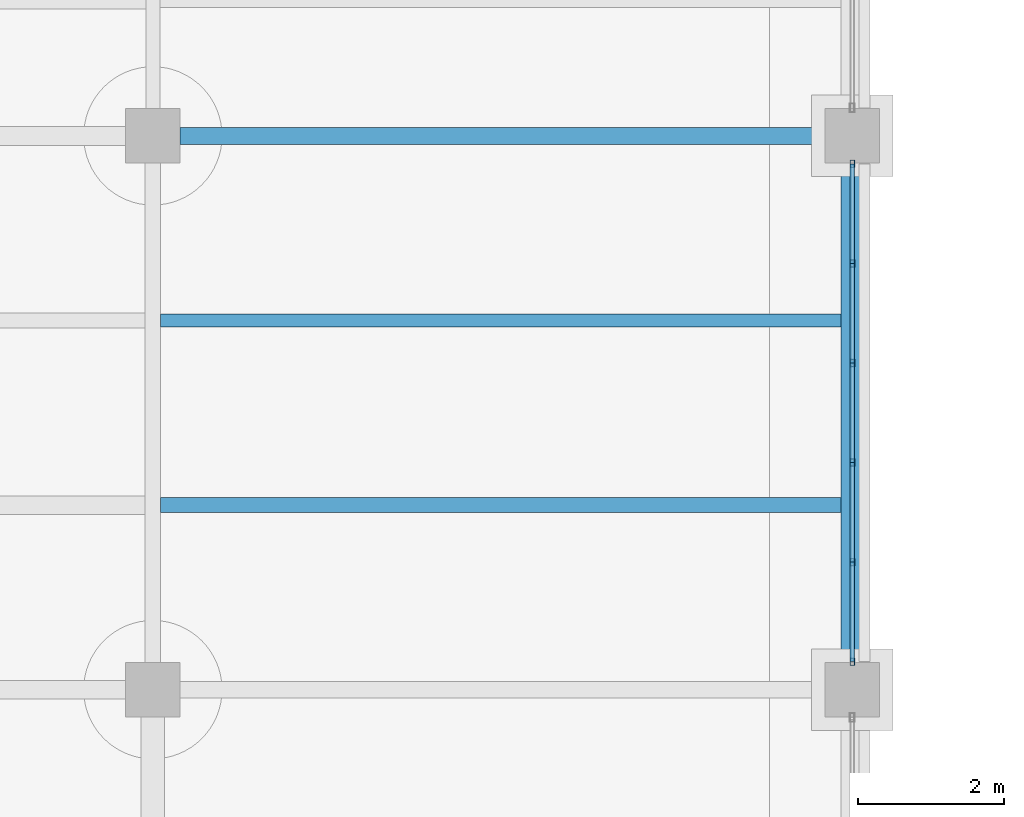
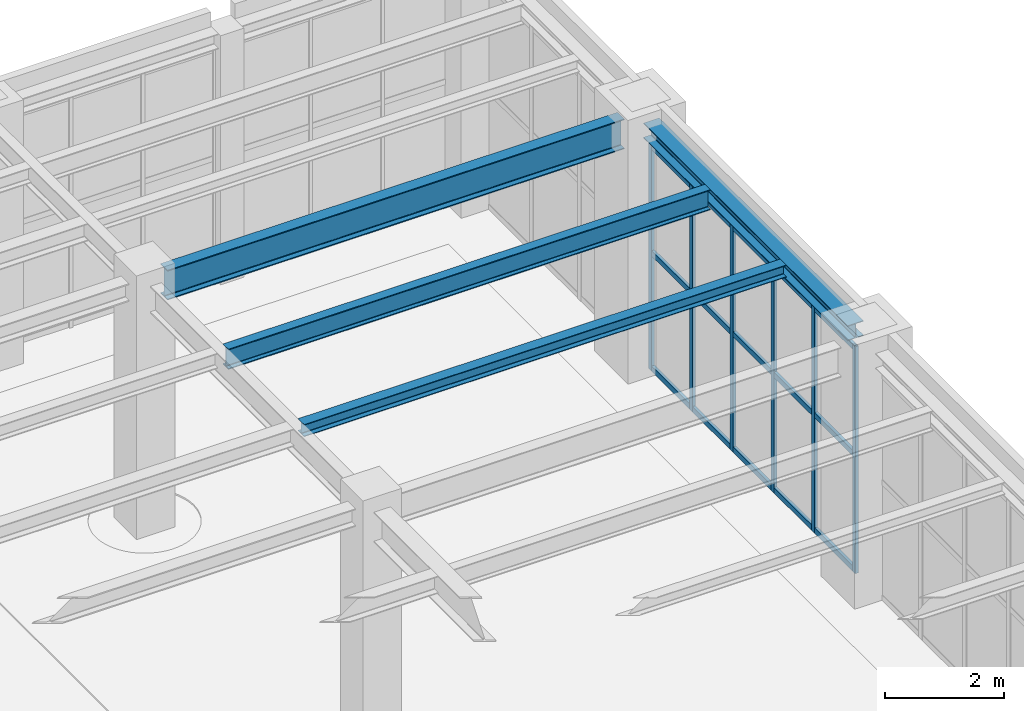
# One storey, part 81 of 164: 21 members, 4 beams, 1 element without a shape of its own.
"""IFC4 building model written with IfcOpenShell, lengths in metres."""

import ifcopenshell
import ifcopenshell.guid

model = None  # the IFC model being written
_history = None  # IfcOwnerHistory: only IFC2X3 demands one
_inside = {}  # id of a spatial element -> (the spatial element, [elements in it])
_under = {}  # id of a project, library or spatial element -> (it, [spatial elements below it])
_declared = {}  # id of a project -> (the project, [libraries it declares])
_typed = {}  # id of a type object -> (the type object, [elements of that type])
_made_of = {}  # id of a material, layer set ... -> (it, [elements and type objects made of it])


def new_model(schema):
    """Start an empty IFC model of exactly this schema.

    Asked for "IFC4X3", IfcOpenShell would pick the latest addendum, in which some entities
    have other attributes; the version numbers below select the first issue.
    IFC2X3 requires an IfcOwnerHistory on every rooted entity: one is made here for all.
    """
    global model, _history
    if schema == "IFC4X3":
        model = ifcopenshell.file(schema_version=(4, 3, 0, 0))
    else:
        model = ifcopenshell.file(schema=schema)
    _inside.clear()
    _under.clear()
    _declared.clear()
    _typed.clear()
    _made_of.clear()
    _history = None
    if model.schema == "IFC2X3":
        org = make("IfcOrganization", Name="unknown")
        user = make(
            "IfcPersonAndOrganization",
            ThePerson=make("IfcPerson", FamilyName="unknown"),
            TheOrganization=org,
        )
        app = make(
            "IfcApplication",
            ApplicationDeveloper=org,
            Version="unknown",
            ApplicationFullName="unknown",
            ApplicationIdentifier="unknown",
        )
        _history = make(
            "IfcOwnerHistory",
            OwningUser=user,
            OwningApplication=app,
            ChangeAction="ADDED",
            CreationDate=0,
        )
    return model


def make(cls, **values):
    """One entity of the class cls with the attributes given. An attribute that is None is left unset."""
    return model.create_entity(
        cls, **{name: value for name, value in values.items() if value is not None}
    )


def rooted(cls, **values):
    """An entity with a GlobalId (a new one), such as an element, a storey or a relation."""
    return make(cls, GlobalId=ifcopenshell.guid.new(), OwnerHistory=_history, **values)


def si_unit(unit_type, name, prefix=None):
    """IfcSIUnit, for example si_unit("LENGTHUNIT", "METRE", prefix="MILLI")."""
    return make("IfcSIUnit", UnitType=unit_type, Prefix=prefix, Name=name)


def assignment(units):
    """IfcUnitAssignment: the units of a project."""
    return None if units is None else make("IfcUnitAssignment", Units=units)


def point(xyz):
    """IfcCartesianPoint."""
    return None if xyz is None else make("IfcCartesianPoint", Coordinates=xyz)


def direction(xyz):
    """IfcDirection."""
    return None if xyz is None else make("IfcDirection", DirectionRatios=xyz)


def frame(location, z_axis=None, x_axis=None):
    """IfcAxis2Placement3D, a coordinate frame: its origin and axes. An axis left out is left unset."""
    return make(
        "IfcAxis2Placement3D",
        Location=point(location),
        Axis=direction(z_axis),
        RefDirection=direction(x_axis),
    )


def frame_2d(location, x_axis=None):
    """IfcAxis2Placement2D, a coordinate frame in the plane: its origin and x axis."""
    return make(
        "IfcAxis2Placement2D", Location=point(location), RefDirection=direction(x_axis)
    )


def origin():
    """The frame at (0, 0, 0) with its axes left unset."""
    return frame((0.0, 0.0, 0.0))


def origin_2d():
    """The frame at (0, 0) in the plane with its x axis left unset."""
    return frame_2d((0.0, 0.0))


def place(relative_to, where):
    """IfcLocalPlacement: puts the frame where relative to a parent placement (None: the world)."""
    return make(
        "IfcLocalPlacement", PlacementRelTo=relative_to, RelativePlacement=where
    )


def context(
    kind, dimensions, precision=None, world=None, true_north=None, identifier=None
):
    """IfcGeometricRepresentationContext, for example the 3D "Model" context."""
    return make(
        "IfcGeometricRepresentationContext",
        ContextIdentifier=identifier,
        ContextType=kind,
        CoordinateSpaceDimension=dimensions,
        Precision=precision,
        WorldCoordinateSystem=world,
        TrueNorth=true_north,
    )


def subcontext(parent, identifier, kind, view, scale=None):
    """IfcGeometricRepresentationSubContext, for example "Body" below "Model"."""
    return make(
        "IfcGeometricRepresentationSubContext",
        ContextIdentifier=identifier,
        ContextType=kind,
        ParentContext=parent,
        TargetScale=scale,
        TargetView=view,
    )


def project(units=None, contexts=None):
    """IfcProject with its units and contexts."""
    return rooted(
        "IfcProject",
        Name="project",
        RepresentationContexts=contexts,
        UnitsInContext=assignment(units),
    )


def spatial(cls, under=None, at=None, **own):
    """A site, building, storey or space (cls), placed at a placement, below another one or the project."""
    s = rooted(cls, ObjectPlacement=at, **own)
    if under is not None:
        _under.setdefault(under.id(), (under, []))[1].append(s)
    return s


def profile(cls, at=None, kind="AREA", **sizes):
    """A parametric profile (cls). Its sizes go by their IFC names, for example OverallWidth=200.0."""
    return make(cls, ProfileType=kind, Position=at, **sizes)


def hollow_rectangle(**sizes):
    """IfcRectangleHollowProfileDef."""
    return profile("IfcRectangleHollowProfileDef", **sizes)


def i_section(**sizes):
    """IfcIShapeProfileDef."""
    return profile("IfcIShapeProfileDef", **sizes)


def extrude(swept, where, along, depth):
    """IfcExtrudedAreaSolid: the profile swept, set in the frame where, extruded along a direction by depth."""
    return make(
        "IfcExtrudedAreaSolid",
        SweptArea=swept,
        Position=where,
        ExtrudedDirection=direction(along),
        Depth=depth,
    )


def shape(context_of_items, identifier, shape_type, items):
    """IfcShapeRepresentation: the items that make up one representation, for example the "Body"."""
    return make(
        "IfcShapeRepresentation",
        ContextOfItems=context_of_items,
        RepresentationIdentifier=identifier,
        RepresentationType=shape_type,
        Items=items,
    )


def material(Name=None, Category=None):
    """IfcMaterial."""
    return make("IfcMaterial", Name=Name, Category=Category)


def material_profile(
    of_material, cross_section, Name=None, Category=None, Priority=None
):
    """IfcMaterialProfile: a cross section and its material."""
    return make(
        "IfcMaterialProfile",
        Name=Name,
        Material=of_material,
        Profile=cross_section,
        Priority=Priority,
        Category=Category,
    )


def profile_set(profiles, Name=None, composite=None):
    """IfcMaterialProfileSet."""
    return make(
        "IfcMaterialProfileSet",
        Name=Name,
        MaterialProfiles=profiles,
        CompositeProfile=composite,
    )


def made_of(thing, what):
    """Note that an element or type object is made of a material, layer set ...; save() writes the relation."""
    if what is not None:
        _made_of.setdefault(what.id(), (what, []))[1].append(thing)
    return thing


def type_object(cls, material=None, **own):
    """A type object (cls), such as IfcWallType, which elements share."""
    return made_of(rooted(cls, **own), material)


def element(
    cls,
    number,
    at=None,
    inside=None,
    cuts=None,
    type_object=None,
    material=None,
    context=None,
    identifier="Body",
    shape_type=None,
    held_by="IfcProductDefinitionShape",
    body=None,
    shapes=None,
    **own,
):
    """One element of the class cls, such as IfcWall. Its Tag is "e" and its number.

    at: its placement. inside: the storey or other place that contains it. cuts: it is an
    opening in that element (IfcRelVoidsElement). A single representation is given by context,
    identifier, shape_type and body (its items); several are given by shapes. held_by: the class
    of the entity that holds the representations. save() writes the other relations.
    """
    e = rooted(cls, Tag="e%d" % number, ObjectPlacement=at, **own)
    if body is not None:
        shapes = [shape(context, identifier, shape_type, body)]
    if shapes is not None:
        e.Representation = make(held_by, Representations=shapes)
    if inside is not None:
        _inside.setdefault(inside.id(), (inside, []))[1].append(e)
    if cuts is not None:
        rooted(
            "IfcRelVoidsElement", RelatingBuildingElement=cuts, RelatedOpeningElement=e
        )
    if type_object is not None:
        _typed.setdefault(type_object.id(), (type_object, []))[1].append(e)
    return made_of(e, material)


def aggregate(whole, parts):
    """IfcRelAggregates: a whole, such as a stair, and the parts it consists of."""
    return rooted("IfcRelAggregates", RelatingObject=whole, RelatedObjects=parts)


def save(model, path):
    """Write the relations noted so far, then the file.

    IfcRelAggregates (storeys below a building ...), IfcRelContainedInSpatialStructure (elements
    in a storey), IfcRelDefinesByType, IfcRelAssociatesMaterial and IfcRelDeclares: one each for
    every whole, place, type object, material and project.
    """
    for whole, parts in _under.values():
        aggregate(whole, parts)
    for where, things in _inside.values():
        rooted(
            "IfcRelContainedInSpatialStructure",
            RelatedElements=things,
            RelatingStructure=where,
        )
    for kind, things in _typed.values():
        rooted("IfcRelDefinesByType", RelatedObjects=things, RelatingType=kind)
    for what, things in _made_of.values():
        rooted("IfcRelAssociatesMaterial", RelatedObjects=things, RelatingMaterial=what)
    for by, libraries in _declared.values():
        rooted("IfcRelDeclares", RelatingContext=by, RelatedDefinitions=libraries)
    model.write(path)


model = new_model("IFC4")

# Units and contexts
model_context = context("Model", 3, precision=1e-05, world=origin(), true_north=direction((0.0, 1.0)))
body_context = subcontext(model_context, "Body", "Model", "MODEL_VIEW")
ifc_project = project(units=[si_unit("LENGTHUNIT", "METRE"), si_unit("AREAUNIT", "SQUARE_METRE"), si_unit("VOLUMEUNIT", "CUBIC_METRE"), si_unit("PLANEANGLEUNIT", "RADIAN"), si_unit("MASSUNIT", "GRAM", prefix="KILO")], contexts=[model_context])

# Site, building, storey
site_placement = place(None, origin())
site = spatial("IfcSite", under=ifc_project, at=site_placement, CompositionType="ELEMENT")
building_placement = place(site_placement, origin())
building = spatial("IfcBuilding", under=site, at=building_placement, Name="Mavantir Sound Aquarium", CompositionType="ELEMENT")
storey_placement = place(building_placement, origin())
storey = spatial("IfcBuildingStorey", under=building, at=storey_placement, Name="L00", CompositionType="ELEMENT", Elevation=0.0)

# Beams
ifc_material_1 = material(Name="Structural Steel ASTM A992 Gr50", Category="steel")
ifc_material_profile_1 = material_profile(ifc_material_1, i_section(OverallWidth=0.202880859375, OverallDepth=0.251953125, WebThickness=0.008056640625, FlangeThickness=0.013427734375, FilletRadius=0.011962890625, at=origin_2d()), Name="W250X58")
ifc_profile_set_1 = profile_set([ifc_material_profile_1], Name="Structural Steel ASTM A992 Gr50")
beam_type_1 = type_object("IfcBeamType", Name="BM-W250X58-I", PredefinedType="JOIST", material=ifc_profile_set_1)
beam_1_placement = place(storey_placement, frame((28.906005859375, 105.333251953125, 4.969970703125), z_axis=(1.0, 0.0, 0.0), x_axis=(0.0, 1.0, 0.0)))
element("IfcBeam", 1, at=beam_1_placement, inside=storey, type_object=beam_type_1, Name="L00 secondary floor joist SJ-25 600", PredefinedType="JOIST", context=body_context, shape_type="SweptSolid", body=[
    extrude(i_section(OverallWidth=0.202880859375, OverallDepth=0.251953125, WebThickness=0.008056640625, FlangeThickness=0.013427734375, FilletRadius=0.011962890625, at=origin_2d()), origin(), (0.0, 0.0, 1.0), 9.341552734375),
])
ifc_material_profile_2 = material_profile(ifc_material_1, i_section(OverallWidth=0.304931640625, OverallDepth=0.30810546875, WebThickness=0.010009765625, FlangeThickness=0.015380859375, FilletRadius=0.014892578125, at=origin_2d()), Name="W310X97")
ifc_profile_set_2 = profile_set([ifc_material_profile_2], Name="Structural Steel ASTM A992 Gr50")
beam_type_2 = type_object("IfcBeamType", Name="BM-W310X97-E", PredefinedType="SPANDREL", material=ifc_profile_set_2)
beam_2_placement = place(storey_placement, frame((38.39990234375, 103.175048828125, 4.94189453125), z_axis=(0.0, 1.0, 0.0), x_axis=(-1.0, 0.0, 0.0)))
element("IfcBeam", 2, at=beam_2_placement, inside=storey, type_object=beam_type_2, Name="L00 primary girder SS-31A 1068", PredefinedType="SPANDREL", context=body_context, shape_type="SweptSolid", body=[
    extrude(i_section(OverallWidth=0.304931640625, OverallDepth=0.30810546875, WebThickness=0.010009765625, FlangeThickness=0.015380859375, FilletRadius=0.014892578125, at=origin_2d()), origin(), (0.0, 0.0, 1.0), 6.849853515625),
])
ifc_material_profile_3 = material_profile(ifc_material_1, i_section(OverallWidth=0.180908203125, OverallDepth=0.4169921875, WebThickness=0.010986328125, FlangeThickness=0.018310546875, FilletRadius=0.014892578125, at=origin_2d()), Name="W410X85")
ifc_profile_set_3 = profile_set([ifc_material_profile_3], Name="Structural Steel ASTM A992 Gr50")
beam_type_3 = type_object("IfcBeamType", Name="BM-W410X85-I", PredefinedType="JOIST", material=ifc_profile_set_3)
beam_3_placement = place(storey_placement, frame((28.906005859375, 107.86669921875, 4.887451171875), z_axis=(1.0, 0.0, 0.0), x_axis=(0.0, 1.0, 0.0)))
element("IfcBeam", 3, at=beam_3_placement, inside=storey, type_object=beam_type_3, Name="L00 secondary floor joist SJ-41 601", PredefinedType="JOIST", context=body_context, shape_type="SweptSolid", body=[
    extrude(i_section(OverallWidth=0.180908203125, OverallDepth=0.4169921875, WebThickness=0.010986328125, FlangeThickness=0.018310546875, FilletRadius=0.014892578125, at=origin_2d()), origin(), (0.0, 0.0, 1.0), 9.341552734375),
])
ifc_material_profile_4 = material_profile(ifc_material_1, i_section(OverallWidth=0.22900390625, OverallDepth=0.612060546875, WebThickness=0.011962890625, FlangeThickness=0.01953125, FilletRadius=0.01904296875, at=origin_2d()), Name="W610X125")
ifc_profile_set_4 = profile_set([ifc_material_profile_4], Name="Structural Steel ASTM A992 Gr50")
beam_type_4 = type_object("IfcBeamType", Name="BM-W610X125-I", PredefinedType="BEAM", material=ifc_profile_set_4)
beam_4_placement = place(storey_placement, frame((29.175048828125, 110.39990234375, 4.7900390625), z_axis=(1.0, 0.0, 0.0), x_axis=(0.0, 1.0, 0.0)))
element("IfcBeam", 4, at=beam_4_placement, inside=storey, type_object=beam_type_4, Name="L00 primary beam SB-61B 1045", PredefinedType="BEAM", context=body_context, shape_type="SweptSolid", body=[
    extrude(i_section(OverallWidth=0.22900390625, OverallDepth=0.612060546875, WebThickness=0.011962890625, FlangeThickness=0.01953125, FilletRadius=0.01904296875, at=origin_2d()), origin(), (0.0, 0.0, 1.0), 8.849853515625),
])

# Curtain wall, members
ifc_material_2 = material(Name="Anodised Marine Aluminium and Low-E Glass", Category="aluminium")
curtain_wall_type = type_object("IfcCurtainWallType", Name="CW-T09", PredefinedType="USERDEFINED", material=ifc_material_2)
curtain_wall_placement = place(storey_placement, origin())
curtain_wall = element("IfcCurtainWall", 5, at=curtain_wall_placement, inside=storey, type_object=curtain_wall_type, Name="L00 unitised curtain wall CW-09 33", ObjectType="UNITISED GLAZING", PredefinedType="USERDEFINED")
ifc_material_3 = material(Name="Anodised Marine Aluminium 6063-T6", Category="aluminium")
ifc_material_profile_5 = material_profile(ifc_material_3, hollow_rectangle(XDim=0.06005859375, YDim=0.10009765625, WallThickness=0.00390625, at=origin_2d()), Name="ALU-MULLION-100X60")
ifc_profile_set_5 = profile_set([ifc_material_profile_5], Name="Anodised Marine Aluminium 6063-T6")
member_type_1 = type_object("IfcMemberType", Name="CW-MUL-100", PredefinedType="MULLION", material=ifc_profile_set_5)
member_1_placement = place(storey_placement, frame((38.39990234375, 103.18310546875, 0.0), z_axis=(0.0, 0.0, 1.0), x_axis=(1.0, 0.0, 0.0)))
member_1 = element("IfcMember", 6, at=member_1_placement, type_object=member_type_1, Name="CW-L00-033 vertical mullion 1", PredefinedType="MULLION", context=body_context, shape_type="SweptSolid", body=[
    extrude(hollow_rectangle(XDim=0.06005859375, YDim=0.10009765625, WallThickness=0.00390625, at=origin_2d()), origin(), (0.0, 0.0, 1.0), 4.64892578125),
])
member_2_placement = place(storey_placement, frame((38.39990234375, 104.5498046875, 0.0), z_axis=(0.0, 0.0, 1.0), x_axis=(1.0, 0.0, 0.0)))
member_2 = element("IfcMember", 7, at=member_2_placement, type_object=member_type_1, Name="CW-L00-033 vertical mullion 2", PredefinedType="MULLION", context=body_context, shape_type="SweptSolid", body=[
    extrude(hollow_rectangle(XDim=0.06005859375, YDim=0.10009765625, WallThickness=0.00390625, at=origin_2d()), origin(), (0.0, 0.0, 1.0), 4.64892578125),
])
member_3_placement = place(storey_placement, frame((38.39990234375, 105.91650390625, 0.0), z_axis=(0.0, 0.0, 1.0), x_axis=(1.0, 0.0, 0.0)))
member_3 = element("IfcMember", 8, at=member_3_placement, type_object=member_type_1, Name="CW-L00-033 vertical mullion 3", PredefinedType="MULLION", context=body_context, shape_type="SweptSolid", body=[
    extrude(hollow_rectangle(XDim=0.06005859375, YDim=0.10009765625, WallThickness=0.00390625, at=origin_2d()), origin(), (0.0, 0.0, 1.0), 4.64892578125),
])
member_4_placement = place(storey_placement, frame((38.39990234375, 107.283447265625, 0.0), z_axis=(0.0, 0.0, 1.0), x_axis=(1.0, 0.0, 0.0)))
member_4 = element("IfcMember", 9, at=member_4_placement, type_object=member_type_1, Name="CW-L00-033 vertical mullion 4", PredefinedType="MULLION", context=body_context, shape_type="SweptSolid", body=[
    extrude(hollow_rectangle(XDim=0.06005859375, YDim=0.10009765625, WallThickness=0.00390625, at=origin_2d()), origin(), (0.0, 0.0, 1.0), 4.64892578125),
])
member_5_placement = place(storey_placement, frame((38.39990234375, 108.650146484375, 0.0), z_axis=(0.0, 0.0, 1.0), x_axis=(1.0, 0.0, 0.0)))
member_5 = element("IfcMember", 10, at=member_5_placement, type_object=member_type_1, Name="CW-L00-033 vertical mullion 5", PredefinedType="MULLION", context=body_context, shape_type="SweptSolid", body=[
    extrude(hollow_rectangle(XDim=0.06005859375, YDim=0.10009765625, WallThickness=0.00390625, at=origin_2d()), origin(), (0.0, 0.0, 1.0), 4.64892578125),
])
member_6_placement = place(storey_placement, frame((38.39990234375, 110.01708984375, 0.0), z_axis=(0.0, 0.0, 1.0), x_axis=(1.0, 0.0, 0.0)))
member_6 = element("IfcMember", 11, at=member_6_placement, type_object=member_type_1, Name="CW-L00-033 vertical mullion 6", PredefinedType="MULLION", context=body_context, shape_type="SweptSolid", body=[
    extrude(hollow_rectangle(XDim=0.06005859375, YDim=0.10009765625, WallThickness=0.00390625, at=origin_2d()), origin(), (0.0, 0.0, 1.0), 4.64892578125),
])
ifc_material_profile_6 = material_profile(ifc_material_3, hollow_rectangle(XDim=0.06005859375, YDim=0.110107421875, WallThickness=0.00390625, at=origin_2d()), Name="ALU-TRANSOM-110X60")
ifc_profile_set_6 = profile_set([ifc_material_profile_6], Name="Anodised Marine Aluminium 6063-T6")
member_type_2 = type_object("IfcMemberType", Name="CW-TRN-110", PredefinedType="USERDEFINED", material=ifc_profile_set_6)
member_7_placement = place(storey_placement, frame((38.39990234375, 103.18310546875, 0.054931640625), z_axis=(0.0, 1.0, 0.0), x_axis=(-1.0, 0.0, 0.0)))
member_7 = element("IfcMember", 12, at=member_7_placement, type_object=member_type_2, Name="CW-L00-033 transom 1.1", ObjectType="TRANSOM", PredefinedType="USERDEFINED", context=body_context, shape_type="SweptSolid", body=[
    extrude(hollow_rectangle(XDim=0.06005859375, YDim=0.110107421875, WallThickness=0.00390625, at=origin_2d()), origin(), (0.0, 0.0, 1.0), 1.36669921875),
])
member_8_placement = place(storey_placement, frame((38.39990234375, 103.18310546875, 2.41748046875), z_axis=(0.0, 1.0, 0.0), x_axis=(-1.0, 0.0, 0.0)))
member_8 = element("IfcMember", 13, at=member_8_placement, type_object=member_type_2, Name="CW-L00-033 transom 1.2", ObjectType="TRANSOM", PredefinedType="USERDEFINED", context=body_context, shape_type="SweptSolid", body=[
    extrude(hollow_rectangle(XDim=0.06005859375, YDim=0.110107421875, WallThickness=0.00390625, at=origin_2d()), origin(), (0.0, 0.0, 1.0), 1.36669921875),
])
member_9_placement = place(storey_placement, frame((38.39990234375, 103.18310546875, 4.593994140625), z_axis=(0.0, 1.0, 0.0), x_axis=(-1.0, 0.0, 0.0)))
member_9 = element("IfcMember", 14, at=member_9_placement, type_object=member_type_2, Name="CW-L00-033 transom 1.3", ObjectType="TRANSOM", PredefinedType="USERDEFINED", context=body_context, shape_type="SweptSolid", body=[
    extrude(hollow_rectangle(XDim=0.06005859375, YDim=0.110107421875, WallThickness=0.00390625, at=origin_2d()), origin(), (0.0, 0.0, 1.0), 1.36669921875),
])
member_10_placement = place(storey_placement, frame((38.39990234375, 104.5498046875, 0.054931640625), z_axis=(0.0, 1.0, 0.0), x_axis=(-1.0, 0.0, 0.0)))
member_10 = element("IfcMember", 15, at=member_10_placement, type_object=member_type_2, Name="CW-L00-033 transom 2.1", ObjectType="TRANSOM", PredefinedType="USERDEFINED", context=body_context, shape_type="SweptSolid", body=[
    extrude(hollow_rectangle(XDim=0.06005859375, YDim=0.110107421875, WallThickness=0.00390625, at=origin_2d()), origin(), (0.0, 0.0, 1.0), 1.36669921875),
])
member_11_placement = place(storey_placement, frame((38.39990234375, 104.5498046875, 2.41748046875), z_axis=(0.0, 1.0, 0.0), x_axis=(-1.0, 0.0, 0.0)))
member_11 = element("IfcMember", 16, at=member_11_placement, type_object=member_type_2, Name="CW-L00-033 transom 2.2", ObjectType="TRANSOM", PredefinedType="USERDEFINED", context=body_context, shape_type="SweptSolid", body=[
    extrude(hollow_rectangle(XDim=0.06005859375, YDim=0.110107421875, WallThickness=0.00390625, at=origin_2d()), origin(), (0.0, 0.0, 1.0), 1.36669921875),
])
member_12_placement = place(storey_placement, frame((38.39990234375, 104.5498046875, 4.593994140625), z_axis=(0.0, 1.0, 0.0), x_axis=(-1.0, 0.0, 0.0)))
member_12 = element("IfcMember", 17, at=member_12_placement, type_object=member_type_2, Name="CW-L00-033 transom 2.3", ObjectType="TRANSOM", PredefinedType="USERDEFINED", context=body_context, shape_type="SweptSolid", body=[
    extrude(hollow_rectangle(XDim=0.06005859375, YDim=0.110107421875, WallThickness=0.00390625, at=origin_2d()), origin(), (0.0, 0.0, 1.0), 1.36669921875),
])
member_13_placement = place(storey_placement, frame((38.39990234375, 105.91650390625, 0.054931640625), z_axis=(0.0, 1.0, 0.0), x_axis=(-1.0, 0.0, 0.0)))
member_13 = element("IfcMember", 18, at=member_13_placement, type_object=member_type_2, Name="CW-L00-033 transom 3.1", ObjectType="TRANSOM", PredefinedType="USERDEFINED", context=body_context, shape_type="SweptSolid", body=[
    extrude(hollow_rectangle(XDim=0.06005859375, YDim=0.110107421875, WallThickness=0.00390625, at=origin_2d()), origin(), (0.0, 0.0, 1.0), 1.366943359375),
])
member_14_placement = place(storey_placement, frame((38.39990234375, 105.91650390625, 2.41748046875), z_axis=(0.0, 1.0, 0.0), x_axis=(-1.0, 0.0, 0.0)))
member_14 = element("IfcMember", 19, at=member_14_placement, type_object=member_type_2, Name="CW-L00-033 transom 3.2", ObjectType="TRANSOM", PredefinedType="USERDEFINED", context=body_context, shape_type="SweptSolid", body=[
    extrude(hollow_rectangle(XDim=0.06005859375, YDim=0.110107421875, WallThickness=0.00390625, at=origin_2d()), origin(), (0.0, 0.0, 1.0), 1.366943359375),
])
member_15_placement = place(storey_placement, frame((38.39990234375, 105.91650390625, 4.593994140625), z_axis=(0.0, 1.0, 0.0), x_axis=(-1.0, 0.0, 0.0)))
member_15 = element("IfcMember", 20, at=member_15_placement, type_object=member_type_2, Name="CW-L00-033 transom 3.3", ObjectType="TRANSOM", PredefinedType="USERDEFINED", context=body_context, shape_type="SweptSolid", body=[
    extrude(hollow_rectangle(XDim=0.06005859375, YDim=0.110107421875, WallThickness=0.00390625, at=origin_2d()), origin(), (0.0, 0.0, 1.0), 1.366943359375),
])
member_16_placement = place(storey_placement, frame((38.39990234375, 107.283447265625, 0.054931640625), z_axis=(0.0, 1.0, 0.0), x_axis=(-1.0, 0.0, 0.0)))
member_16 = element("IfcMember", 21, at=member_16_placement, type_object=member_type_2, Name="CW-L00-033 transom 4.1", ObjectType="TRANSOM", PredefinedType="USERDEFINED", context=body_context, shape_type="SweptSolid", body=[
    extrude(hollow_rectangle(XDim=0.06005859375, YDim=0.110107421875, WallThickness=0.00390625, at=origin_2d()), origin(), (0.0, 0.0, 1.0), 1.36669921875),
])
member_17_placement = place(storey_placement, frame((38.39990234375, 107.283447265625, 2.41748046875), z_axis=(0.0, 1.0, 0.0), x_axis=(-1.0, 0.0, 0.0)))
member_17 = element("IfcMember", 22, at=member_17_placement, type_object=member_type_2, Name="CW-L00-033 transom 4.2", ObjectType="TRANSOM", PredefinedType="USERDEFINED", context=body_context, shape_type="SweptSolid", body=[
    extrude(hollow_rectangle(XDim=0.06005859375, YDim=0.110107421875, WallThickness=0.00390625, at=origin_2d()), origin(), (0.0, 0.0, 1.0), 1.36669921875),
])
member_18_placement = place(storey_placement, frame((38.39990234375, 107.283447265625, 4.593994140625), z_axis=(0.0, 1.0, 0.0), x_axis=(-1.0, 0.0, 0.0)))
member_18 = element("IfcMember", 23, at=member_18_placement, type_object=member_type_2, Name="CW-L00-033 transom 4.3", ObjectType="TRANSOM", PredefinedType="USERDEFINED", context=body_context, shape_type="SweptSolid", body=[
    extrude(hollow_rectangle(XDim=0.06005859375, YDim=0.110107421875, WallThickness=0.00390625, at=origin_2d()), origin(), (0.0, 0.0, 1.0), 1.36669921875),
])
member_19_placement = place(storey_placement, frame((38.39990234375, 108.650146484375, 0.054931640625), z_axis=(0.0, 1.0, 0.0), x_axis=(-1.0, 0.0, 0.0)))
member_19 = element("IfcMember", 24, at=member_19_placement, type_object=member_type_2, Name="CW-L00-033 transom 5.1", ObjectType="TRANSOM", PredefinedType="USERDEFINED", context=body_context, shape_type="SweptSolid", body=[
    extrude(hollow_rectangle(XDim=0.06005859375, YDim=0.110107421875, WallThickness=0.00390625, at=origin_2d()), origin(), (0.0, 0.0, 1.0), 1.366943359375),
])
member_20_placement = place(storey_placement, frame((38.39990234375, 108.650146484375, 2.41748046875), z_axis=(0.0, 1.0, 0.0), x_axis=(-1.0, 0.0, 0.0)))
member_20 = element("IfcMember", 25, at=member_20_placement, type_object=member_type_2, Name="CW-L00-033 transom 5.2", ObjectType="TRANSOM", PredefinedType="USERDEFINED", context=body_context, shape_type="SweptSolid", body=[
    extrude(hollow_rectangle(XDim=0.06005859375, YDim=0.110107421875, WallThickness=0.00390625, at=origin_2d()), origin(), (0.0, 0.0, 1.0), 1.366943359375),
])
member_21_placement = place(storey_placement, frame((38.39990234375, 108.650146484375, 4.593994140625), z_axis=(0.0, 1.0, 0.0), x_axis=(-1.0, 0.0, 0.0)))
member_21 = element("IfcMember", 26, at=member_21_placement, type_object=member_type_2, Name="CW-L00-033 transom 5.3", ObjectType="TRANSOM", PredefinedType="USERDEFINED", context=body_context, shape_type="SweptSolid", body=[
    extrude(hollow_rectangle(XDim=0.06005859375, YDim=0.110107421875, WallThickness=0.00390625, at=origin_2d()), origin(), (0.0, 0.0, 1.0), 1.366943359375),
])
aggregate(curtain_wall, [member_1, member_2, member_3, member_4, member_5, member_6, member_7, member_8, member_9, member_10, member_11, member_12, member_13, member_14, member_15, member_16, member_17, member_18, member_19, member_20, member_21])

save(model, "model.ifc")
